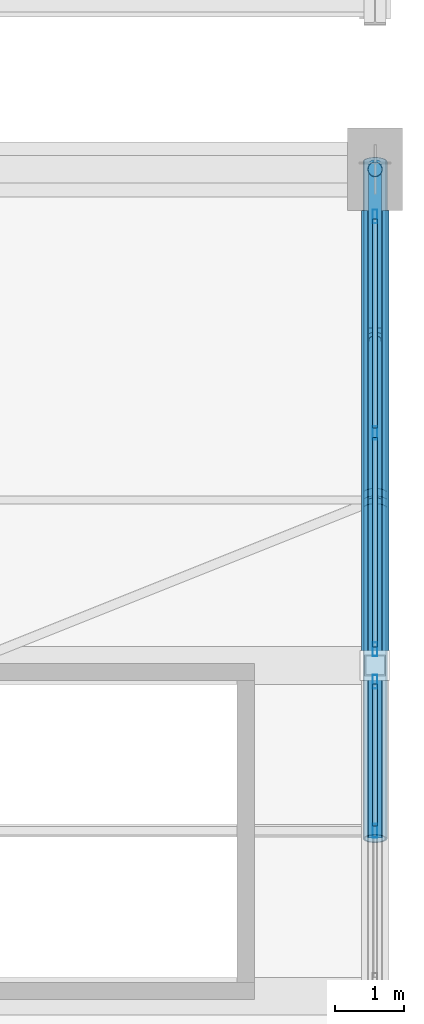
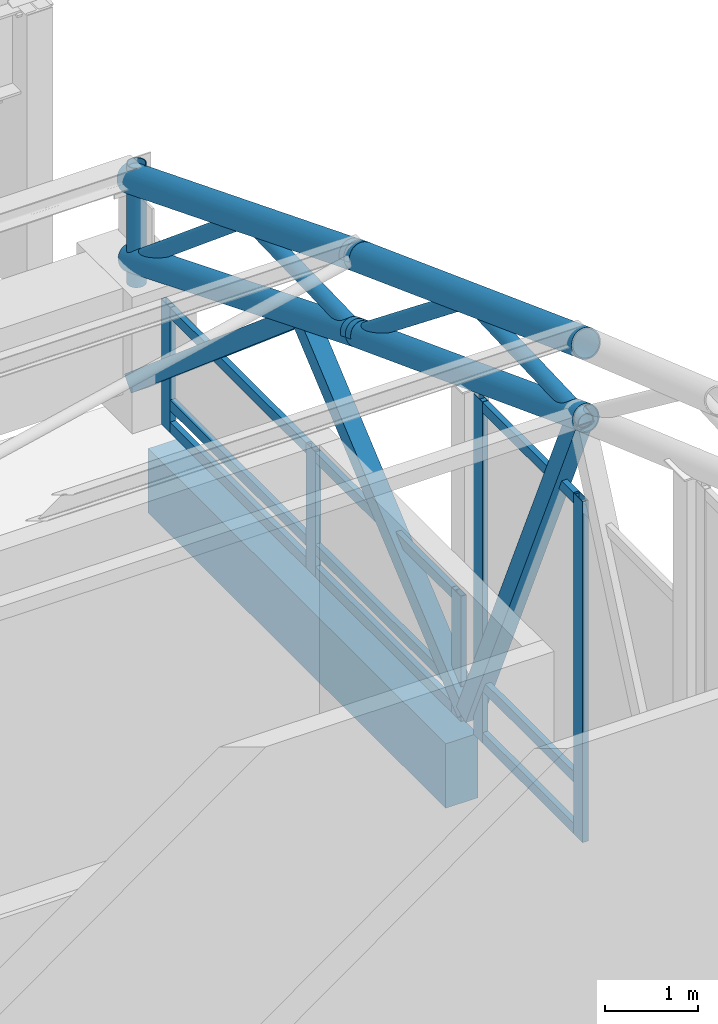
# One storey, part 61 of 116: 26 members, 1 beam, 2 elements without a shape of their own.
"""IFC4 building model written with IfcOpenShell, lengths in metres."""

from ifc_helpers import new_model, si_unit, direction, frame, origin, origin_2d, place, context, subcontext, project, spatial, rectangle, hollow_rectangle, hollow_circle, extrude, material, material_profile, profile_set, type_object, element, aggregate, save


model = new_model("IFC4")

# Units and contexts
model_context = context("Model", 3, precision=1e-05, world=origin(), true_north=direction((0.0, 1.0)))
body_context = subcontext(model_context, "Body", "Model", "MODEL_VIEW")
ifc_project = project(units=[si_unit("LENGTHUNIT", "METRE"), si_unit("AREAUNIT", "SQUARE_METRE"), si_unit("VOLUMEUNIT", "CUBIC_METRE"), si_unit("PLANEANGLEUNIT", "RADIAN"), si_unit("MASSUNIT", "GRAM", prefix="KILO")], contexts=[model_context])

# Site, building, storey
site_placement = place(None, origin())
site = spatial("IfcSite", under=ifc_project, at=site_placement, CompositionType="ELEMENT")
building_placement = place(site_placement, origin())
building = spatial("IfcBuilding", under=site, at=building_placement, Name="Cendralis Lancet Convention Centre", CompositionType="ELEMENT")
storey_placement = place(building_placement, frame((0.0, 0.0, 15.0)))
storey = spatial("IfcBuildingStorey", under=building, at=storey_placement, Name="L03", CompositionType="ELEMENT", Elevation=15.0)

# Curtain wall, members
ifc_material_1 = material(Name="Anodised bronze architectural aluminium", Category="aluminium")
curtain_wall_type = type_object("IfcCurtainWallType", Name="ARC-CW-PL02", PredefinedType="USERDEFINED", material=ifc_material_1)
curtain_wall_1_placement = place(storey_placement, origin())
curtain_wall_1 = element("IfcCurtainWall", 1, at=curtain_wall_1_placement, inside=storey, type_object=curtain_wall_type, Name="L03 Curtain Wall CW-PL2 #144", ObjectType="CURTAIN WALL", PredefinedType="USERDEFINED")
ifc_material_profile_1 = material_profile(ifc_material_1, hollow_rectangle(XDim=0.070068359375, YDim=0.199951171875, WallThickness=0.0048828125, at=origin_2d()), Name="AL-MULL 70x200x5.0")
ifc_profile_set_1 = profile_set([ifc_material_profile_1], Name="Anodised bronze architectural aluminium")
member_type_1 = type_object("IfcMemberType", Name="ARC-CW-ML02", PredefinedType="MULLION", material=ifc_profile_set_1)
member_1_placement = place(storey_placement, frame((208.800048828125, 83.764892578125, 0.0), z_axis=(0.0, 0.0, 1.0), x_axis=(1.0, 0.0, 0.0)))
member_1 = element("IfcMember", 2, at=member_1_placement, type_object=member_type_1, Name="Mullion CW2-CW-PL2-L03-144-M0", PredefinedType="MULLION", context=body_context, shape_type="SweptSolid", body=[
    extrude(hollow_rectangle(XDim=0.070068359375, YDim=0.199951171875, WallThickness=0.0048828125, at=origin_2d()), origin(), (0.0, 0.0, 1.0), 4.4970703125),
])
member_2_placement = place(storey_placement, frame((208.800048828125, 81.60009765625, 0.0), z_axis=(0.0, 0.0, 1.0), x_axis=(1.0, 0.0, 0.0)))
member_2 = element("IfcMember", 3, at=member_2_placement, type_object=member_type_1, Name="Mullion CW2-CW-PL2-L03-144-M1", PredefinedType="MULLION", context=body_context, shape_type="SweptSolid", body=[
    extrude(hollow_rectangle(XDim=0.070068359375, YDim=0.199951171875, WallThickness=0.0048828125, at=origin_2d()), origin(), (0.0, 0.0, 1.0), 4.4970703125),
])

curtain_wall_2_placement = place(storey_placement, origin())
curtain_wall_2 = element("IfcCurtainWall", 4, at=curtain_wall_2_placement, inside=storey, type_object=curtain_wall_type, Name="L03 Curtain Wall CW-PL2 #145", ObjectType="CURTAIN WALL", PredefinedType="USERDEFINED")
member_3_placement = place(storey_placement, frame((208.800048828125, 90.514892578125, 0.0), z_axis=(0.0, 0.0, 1.0), x_axis=(1.0, 0.0, 0.0)))
member_3 = element("IfcMember", 5, at=member_3_placement, type_object=member_type_1, Name="Mullion CW2-CW-PL2-L03-145-M0", PredefinedType="MULLION", context=body_context, shape_type="SweptSolid", body=[
    extrude(hollow_rectangle(XDim=0.070068359375, YDim=0.199951171875, WallThickness=0.0048828125, at=origin_2d()), origin(), (0.0, 0.0, 1.0), 1.64990234375),
])
member_4_placement = place(storey_placement, frame((208.800048828125, 87.375, 0.0), z_axis=(0.0, 0.0, 1.0), x_axis=(1.0, 0.0, 0.0)))
member_4 = element("IfcMember", 6, at=member_4_placement, type_object=member_type_1, Name="Mullion CW2-CW-PL2-L03-145-M1", PredefinedType="MULLION", context=body_context, shape_type="SweptSolid", body=[
    extrude(hollow_rectangle(XDim=0.070068359375, YDim=0.199951171875, WallThickness=0.0048828125, at=origin_2d()), origin(), (0.0, 0.0, 1.0), 1.64990234375),
])
member_5_placement = place(storey_placement, frame((208.800048828125, 84.235107421875, 0.0), z_axis=(0.0, 0.0, 1.0), x_axis=(1.0, 0.0, 0.0)))
member_5 = element("IfcMember", 7, at=member_5_placement, type_object=member_type_1, Name="Mullion CW2-CW-PL2-L03-145-M2", PredefinedType="MULLION", context=body_context, shape_type="SweptSolid", body=[
    extrude(hollow_rectangle(XDim=0.070068359375, YDim=0.199951171875, WallThickness=0.0048828125, at=origin_2d()), origin(), (0.0, 0.0, 1.0), 1.64990234375),
])

# Member
ifc_material_profile_2 = material_profile(ifc_material_1, hollow_rectangle(XDim=0.070068359375, YDim=0.139892578125, WallThickness=0.00390625, at=origin_2d()), Name="AL-TRAN 70x140x4.0")
ifc_profile_set_2 = profile_set([ifc_material_profile_2], Name="Anodised bronze architectural aluminium")
member_type_2 = type_object("IfcMemberType", Name="ARC-CW-TR02", PredefinedType="USERDEFINED", material=ifc_profile_set_2)
member_6_placement = place(storey_placement, frame((208.800048828125, 83.72998046875, 0.070068359375), z_axis=(0.0, -1.0, 0.0), x_axis=(1.0, 0.0, 0.0)))
member_6 = element("IfcMember", 8, at=member_6_placement, type_object=member_type_2, Name="Transom CW2-CW-PL2-L03-144-T0BOT", ObjectType="TRANSOM", PredefinedType="USERDEFINED", context=body_context, shape_type="SweptSolid", body=[
    extrude(hollow_rectangle(XDim=0.070068359375, YDim=0.139892578125, WallThickness=0.00390625, at=origin_2d()), origin(), (0.0, 0.0, 1.0), 2.06005859375),
])

member_7_placement = place(storey_placement, frame((208.800048828125, 83.72998046875, 0.75), z_axis=(0.0, -1.0, 0.0), x_axis=(1.0, 0.0, 0.0)))
member_7 = element("IfcMember", 9, at=member_7_placement, type_object=member_type_2, Name="Transom CW2-CW-PL2-L03-144-T0MID", ObjectType="TRANSOM", PredefinedType="USERDEFINED", context=body_context, shape_type="SweptSolid", body=[
    extrude(hollow_rectangle(XDim=0.070068359375, YDim=0.139892578125, WallThickness=0.00390625, at=origin_2d()), origin(), (0.0, 0.0, 1.0), 2.06005859375),
])

member_8_placement = place(storey_placement, frame((208.800048828125, 83.72998046875, 4.427001953125), z_axis=(0.0, -1.0, 0.0), x_axis=(1.0, 0.0, 0.0)))
member_8 = element("IfcMember", 10, at=member_8_placement, type_object=member_type_2, Name="Transom CW2-CW-PL2-L03-144-T0TOP", ObjectType="TRANSOM", PredefinedType="USERDEFINED", context=body_context, shape_type="SweptSolid", body=[
    extrude(hollow_rectangle(XDim=0.070068359375, YDim=0.139892578125, WallThickness=0.00390625, at=origin_2d()), origin(), (0.0, 0.0, 1.0), 2.06005859375),
])

aggregate(curtain_wall_1, [member_1, member_2, member_6, member_7, member_8])

member_9_placement = place(storey_placement, frame((208.800048828125, 90.47998046875, 0.070068359375), z_axis=(0.0, -1.0, 0.0), x_axis=(1.0, 0.0, 0.0)))
member_9 = element("IfcMember", 11, at=member_9_placement, type_object=member_type_2, Name="Transom CW2-CW-PL2-L03-145-T0BOT", ObjectType="TRANSOM", PredefinedType="USERDEFINED", context=body_context, shape_type="SweptSolid", body=[
    extrude(hollow_rectangle(XDim=0.070068359375, YDim=0.139892578125, WallThickness=0.00390625, at=origin_2d()), origin(), (0.0, 0.0, 1.0), 3.034912109375),
])

member_10_placement = place(storey_placement, frame((208.800048828125, 90.47998046875, 0.363037109375), z_axis=(0.0, -1.0, 0.0), x_axis=(1.0, 0.0, 0.0)))
member_10 = element("IfcMember", 12, at=member_10_placement, type_object=member_type_2, Name="Transom CW2-CW-PL2-L03-145-T0MID", ObjectType="TRANSOM", PredefinedType="USERDEFINED", context=body_context, shape_type="SweptSolid", body=[
    extrude(hollow_rectangle(XDim=0.070068359375, YDim=0.139892578125, WallThickness=0.00390625, at=origin_2d()), origin(), (0.0, 0.0, 1.0), 3.034912109375),
])

member_11_placement = place(storey_placement, frame((208.800048828125, 90.47998046875, 1.580078125), z_axis=(0.0, -1.0, 0.0), x_axis=(1.0, 0.0, 0.0)))
member_11 = element("IfcMember", 13, at=member_11_placement, type_object=member_type_2, Name="Transom CW2-CW-PL2-L03-145-T0TOP", ObjectType="TRANSOM", PredefinedType="USERDEFINED", context=body_context, shape_type="SweptSolid", body=[
    extrude(hollow_rectangle(XDim=0.070068359375, YDim=0.139892578125, WallThickness=0.00390625, at=origin_2d()), origin(), (0.0, 0.0, 1.0), 3.034912109375),
])

member_12_placement = place(storey_placement, frame((208.800048828125, 87.304931640625, 0.070068359375), z_axis=(0.0, -1.0, 0.0), x_axis=(1.0, 0.0, 0.0)))
member_12 = element("IfcMember", 14, at=member_12_placement, type_object=member_type_2, Name="Transom CW2-CW-PL2-L03-145-T1BOT", ObjectType="TRANSOM", PredefinedType="USERDEFINED", context=body_context, shape_type="SweptSolid", body=[
    extrude(hollow_rectangle(XDim=0.070068359375, YDim=0.139892578125, WallThickness=0.00390625, at=origin_2d()), origin(), (0.0, 0.0, 1.0), 3.034912109375),
])

member_13_placement = place(storey_placement, frame((208.800048828125, 87.304931640625, 0.363037109375), z_axis=(0.0, -1.0, 0.0), x_axis=(1.0, 0.0, 0.0)))
member_13 = element("IfcMember", 15, at=member_13_placement, type_object=member_type_2, Name="Transom CW2-CW-PL2-L03-145-T1MID", ObjectType="TRANSOM", PredefinedType="USERDEFINED", context=body_context, shape_type="SweptSolid", body=[
    extrude(hollow_rectangle(XDim=0.070068359375, YDim=0.139892578125, WallThickness=0.00390625, at=origin_2d()), origin(), (0.0, 0.0, 1.0), 3.034912109375),
])

member_14_placement = place(storey_placement, frame((208.800048828125, 87.304931640625, 1.580078125), z_axis=(0.0, -1.0, 0.0), x_axis=(1.0, 0.0, 0.0)))
member_14 = element("IfcMember", 16, at=member_14_placement, type_object=member_type_2, Name="Transom CW2-CW-PL2-L03-145-T1TOP", ObjectType="TRANSOM", PredefinedType="USERDEFINED", context=body_context, shape_type="SweptSolid", body=[
    extrude(hollow_rectangle(XDim=0.070068359375, YDim=0.139892578125, WallThickness=0.00390625, at=origin_2d()), origin(), (0.0, 0.0, 1.0), 3.034912109375),
])

aggregate(curtain_wall_2, [member_3, member_4, member_5, member_9, member_10, member_11, member_12, member_13, member_14])

# Members
ifc_material_2 = material(Name="Steel S355", Category="steel")
ifc_material_profile_3 = material_profile(ifc_material_2, hollow_rectangle(XDim=0.219970703125, YDim=0.219970703125, WallThickness=0.012451171875, at=origin_2d()), Name="SHS 220x220x12.5")
ifc_profile_set_3 = profile_set([ifc_material_profile_3], Name="Steel S355")
member_type_3 = type_object("IfcMemberType", Name="STR-BR-GB02", PredefinedType="BRACE", material=ifc_profile_set_3)
member_15_placement = place(storey_placement, frame((208.800048828125, 84.0, 0.199951171875), z_axis=(0.0, -0.408907793548, 0.912575704463), x_axis=(1.0, 0.0, 0.0)))
element("IfcMember", 17, at=member_15_placement, inside=storey, type_object=member_type_3, Name="Plenary Gable Gothic Ogival Tracery Rib GBR2 #078", PredefinedType="BRACE", context=body_context, shape_type="SweptSolid", body=[
    extrude(hollow_rectangle(XDim=0.219970703125, YDim=0.219970703125, WallThickness=0.012451171875, at=origin_2d()), origin(), (0.0, 0.0, 1.0), 5.869140625),
])
for number, where, z_axis, x_axis, name in (
    (18, (208.800048828125, 84.0, 0.199951171875), (0.0, 0.762604993608, 0.646864455449), (-1.0, 0.0, 0.0), "Plenary Gable Gothic Ogival Tracery Rib GBR2 #079"),
    (19, (208.800048828125, 91.199951171875, 0.199951171875), (0.0, -0.762583352591, 0.646889967732), (1.0, 0.0, 0.0), "Plenary Gable Gothic Ogival Tracery Rib GBR2 #080"),
):
    element("IfcMember", number, at=place(storey_placement, frame(where, z_axis=z_axis, x_axis=x_axis)), inside=storey, type_object=member_type_3, Name=name, PredefinedType="BRACE", context=body_context, shape_type="SweptSolid", body=[
        extrude(hollow_rectangle(XDim=0.219970703125, YDim=0.219970703125, WallThickness=0.012451171875, at=origin_2d()), origin(), (0.0, 0.0, 1.0), 4.720703125),
    ])

# Beam
ifc_material_3 = material(Name="Concrete G40 (C40/50)", Category="concrete")
ifc_material_profile_4 = material_profile(ifc_material_3, rectangle(XDim=0.39990234375, YDim=0.85009765625, at=origin_2d()), Name="RCB 400x850")
ifc_profile_set_4 = profile_set([ifc_material_profile_4], Name="Concrete G40 (C40/50)")
beam_type = type_object("IfcBeamType", Name="STR-SP-SP02", PredefinedType="SPANDREL", material=ifc_profile_set_4)
beam_placement = place(storey_placement, frame((208.800048828125, 84.175048828125, -0.68505859375), z_axis=(0.0, 1.0, 0.0), x_axis=(-1.0, 0.0, 0.0)))
element("IfcBeam", 20, at=beam_placement, inside=storey, type_object=beam_type, Name="L03 Beam SP02 #1551", PredefinedType="SPANDREL", context=body_context, shape_type="SweptSolid", body=[
    extrude(rectangle(XDim=0.39990234375, YDim=0.85009765625, at=origin_2d()), origin(), (0.0, 0.0, 1.0), 6.425048828125),
])

# Members
ifc_material_profile_5 = material_profile(ifc_material_2, hollow_circle(Radius=0.161865234375, WallThickness=0.01416015625, at=origin_2d()), Name="CHS 323.9x14.2")
ifc_profile_set_5 = profile_set([ifc_material_profile_5], Name="Steel S355")
member_type_4 = type_object("IfcMemberType", Name="STR-TR-BC02", PredefinedType="CHORD", material=ifc_profile_set_5)
member_16_placement = place(storey_placement, frame((208.800048828125, 81.48779296875, 5.598388671875), z_axis=(0.0, 0.935181338514, -0.354169259105), x_axis=(-1.0, 0.0, 0.0)))
element("IfcMember", 21, at=member_16_placement, inside=storey, type_object=member_type_4, Name="ROOF TRUSS AT-V2-10 Bottom Chord 08", PredefinedType="CHORD", context=body_context, shape_type="SweptSolid", body=[
    extrude(hollow_circle(Radius=0.161865234375, WallThickness=0.01416015625, at=origin_2d()), origin(), (0.0, 0.0, 1.0), 5.37255859375),
])
member_17_placement = place(storey_placement, frame((208.800048828125, 86.288818359375, 3.782958984375), z_axis=(0.0, 0.927271931531, -0.374388521451), x_axis=(-1.0, 0.0, 0.0)))
element("IfcMember", 22, at=member_17_placement, inside=storey, type_object=member_type_4, Name="ROOF TRUSS AT-V2-10 Bottom Chord 09", PredefinedType="CHORD", context=body_context, shape_type="SweptSolid", body=[
    extrude(hollow_circle(Radius=0.161865234375, WallThickness=0.01416015625, at=origin_2d()), origin(), (0.0, 0.0, 1.0), 5.41650390625),
])
ifc_material_profile_6 = material_profile(ifc_material_2, hollow_circle(Radius=0.177734375, WallThickness=0.01611328125, at=origin_2d()), Name="CHS 355.6x16.0")
ifc_profile_set_6 = profile_set([ifc_material_profile_6], Name="Steel S355")
member_type_5 = type_object("IfcMemberType", Name="STR-TR-TC02", PredefinedType="CHORD", material=ifc_profile_set_6)
member_18_placement = place(storey_placement, frame((208.800048828125, 81.487548828125, 6.58056640625), z_axis=(0.0, 0.937332228344, -0.34843692931), x_axis=(-1.0, 0.0, 0.0)))
element("IfcMember", 23, at=member_18_placement, inside=storey, type_object=member_type_5, Name="ROOF TRUSS AT-V2-10 Top Chord 08", PredefinedType="CHORD", context=body_context, shape_type="SweptSolid", body=[
    extrude(hollow_circle(Radius=0.177734375, WallThickness=0.01611328125, at=origin_2d()), origin(), (0.0, 0.0, 1.0), 5.36083984375),
])
member_19_placement = place(storey_placement, frame((208.800048828125, 86.28857421875, 4.798828125), z_axis=(0.0, 0.929495136476, -0.368834368338), x_axis=(-1.0, 0.0, 0.0)))
element("IfcMember", 24, at=member_19_placement, inside=storey, type_object=member_type_5, Name="ROOF TRUSS AT-V2-10 Top Chord 09", PredefinedType="CHORD", context=body_context, shape_type="SweptSolid", body=[
    extrude(hollow_circle(Radius=0.177734375, WallThickness=0.01611328125, at=origin_2d()), origin(), (0.0, 0.0, 1.0), 5.404052734375),
])
ifc_material_profile_7 = material_profile(ifc_material_2, hollow_circle(Radius=0.096923828125, WallThickness=0.008056640625, at=origin_2d()), Name="CHS 193.7x8.0")
ifc_profile_set_7 = profile_set([ifc_material_profile_7], Name="Steel S355")
member_type_6 = type_object("IfcMemberType", Name="STR-TR-WD02", PredefinedType="BRACE", material=ifc_profile_set_7)
member_20_placement = place(storey_placement, frame((208.800048828125, 81.5, 5.55224609375), z_axis=(0.0, 0.999288228514, 0.037723154086), x_axis=(-1.0, 0.0, 0.0)))
element("IfcMember", 25, at=member_20_placement, inside=storey, type_object=member_type_6, Name="ROOF TRUSS AT-V2-10 Warren Web 08-0", PredefinedType="BRACE", context=body_context, shape_type="SweptSolid", body=[
    extrude(hollow_circle(Radius=0.096923828125, WallThickness=0.008056640625, at=origin_2d()), origin(), (0.0, 0.0, 1.0), 2.601806640625),
])
member_21_placement = place(storey_placement, frame((208.800048828125, 83.921630859375, 5.708984375), z_axis=(0.0, 0.782673873306, -0.62243201078), x_axis=(-1.0, 0.0, 0.0)))
element("IfcMember", 26, at=member_21_placement, inside=storey, type_object=member_type_6, Name="ROOF TRUSS AT-V2-10 Warren Web 08-1", PredefinedType="BRACE", context=body_context, shape_type="SweptSolid", body=[
    extrude(hollow_circle(Radius=0.096923828125, WallThickness=0.008056640625, at=origin_2d()), origin(), (0.0, 0.0, 1.0), 3.2666015625),
])
member_22_placement = place(storey_placement, frame((208.800048828125, 86.300048828125, 3.7353515625), z_axis=(0.0, 0.999642061144, 0.0267534968), x_axis=(-1.0, 0.0, 0.0)))
element("IfcMember", 27, at=member_22_placement, inside=storey, type_object=member_type_6, Name="ROOF TRUSS AT-V2-10 Warren Web 09-0", PredefinedType="BRACE", context=body_context, shape_type="SweptSolid", body=[
    extrude(hollow_circle(Radius=0.096923828125, WallThickness=0.008056640625, at=origin_2d()), origin(), (0.0, 0.0, 1.0), 2.600830078125),
])
member_23_placement = place(storey_placement, frame((208.800048828125, 88.72314453125, 3.866455078125), z_axis=(0.0, 0.767848091912, -0.640631959667), x_axis=(-1.0, 0.0, 0.0)))
element("IfcMember", 28, at=member_23_placement, inside=storey, type_object=member_type_6, Name="ROOF TRUSS AT-V2-10 Warren Web 09-1", PredefinedType="BRACE", context=body_context, shape_type="SweptSolid", body=[
    extrude(hollow_circle(Radius=0.096923828125, WallThickness=0.008056640625, at=origin_2d()), origin(), (0.0, 0.0, 1.0), 3.32568359375),
])
ifc_material_profile_8 = material_profile(ifc_material_2, hollow_circle(Radius=0.109619140625, WallThickness=0.010009765625, at=origin_2d()), Name="CHS 219.1x10.0")
ifc_profile_set_8 = profile_set([ifc_material_profile_8], Name="Steel S355")
member_type_7 = type_object("IfcMemberType", Name="STR-TR-WV02", PredefinedType="POST", material=ifc_profile_set_8)
member_24_placement = place(storey_placement, frame((208.800048828125, 91.199951171875, 1.5), z_axis=(0.0, 0.0, 1.0), x_axis=(1.0, 0.0, 0.0)))
element("IfcMember", 29, at=member_24_placement, inside=storey, type_object=member_type_7, Name="ROOF TRUSS AT-V2-10 Springing Post N10", PredefinedType="POST", context=body_context, shape_type="SweptSolid", body=[
    extrude(hollow_circle(Radius=0.109619140625, WallThickness=0.010009765625, at=origin_2d()), origin(), (0.0, 0.0, 1.0), 1.570068359375),
])

save(model, "model.ifc")
